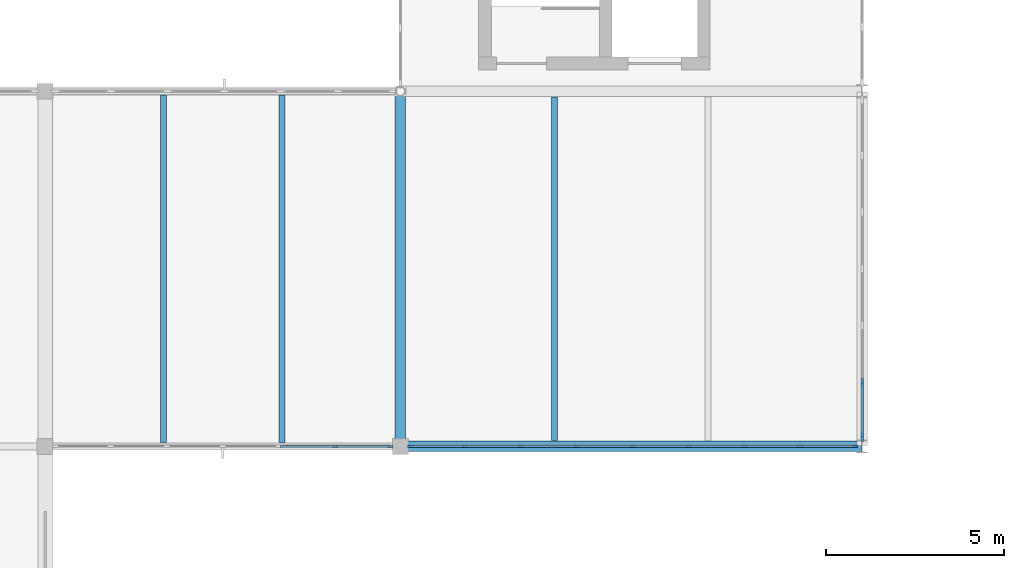
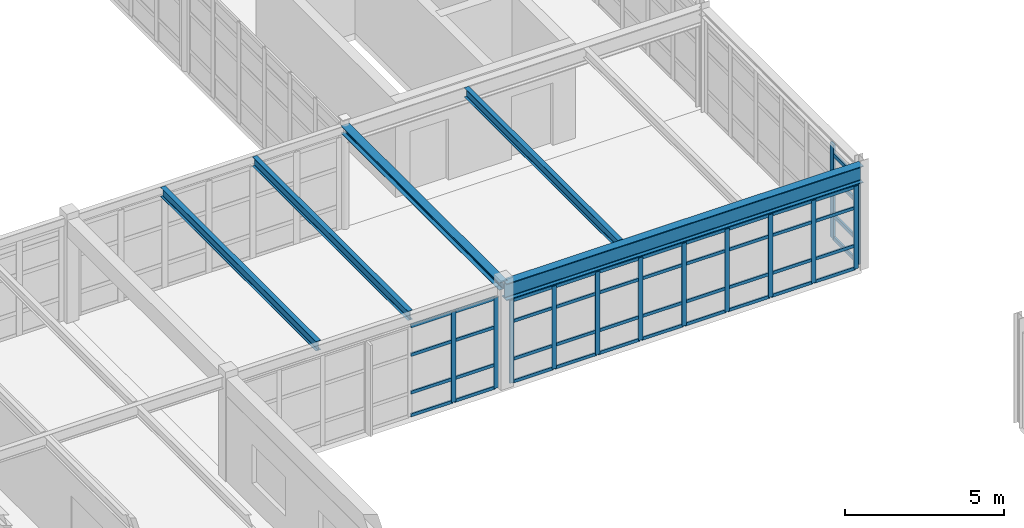
# One storey, part 38 of 122: 57 members, 5 beams, 3 elements without a shape of their own.
"""IFC4 building model written with IfcOpenShell, lengths in metres."""

from ifc_helpers import new_model, si_unit, direction, frame, origin, origin_2d, place, context, subcontext, project, spatial, rectangle, i_section, extrude, material, layer, layer_set, material_profile, profile_set, type_object, element, aggregate, save


model = new_model("IFC4")

# Units and contexts
model_context = context("Model", 3, precision=1e-05, world=origin(), true_north=direction((0.0, 1.0)))
body_context = subcontext(model_context, "Body", "Model", "MODEL_VIEW")
ifc_project = project(units=[si_unit("LENGTHUNIT", "METRE"), si_unit("AREAUNIT", "SQUARE_METRE"), si_unit("VOLUMEUNIT", "CUBIC_METRE"), si_unit("PLANEANGLEUNIT", "RADIAN"), si_unit("MASSUNIT", "GRAM", prefix="KILO"), si_unit("THERMODYNAMICTEMPERATUREUNIT", "KELVIN"), si_unit("POWERUNIT", "WATT")], contexts=[model_context])

# Site, building, storey
site_placement = place(None, origin())
site = spatial("IfcSite", under=ifc_project, at=site_placement, CompositionType="ELEMENT")
building_placement = place(site_placement, origin())
building = spatial("IfcBuilding", under=site, at=building_placement, Name="Korenveer Ferry Terminal", CompositionType="ELEMENT")
storey_placement = place(building_placement, frame((0.0, 0.0, 10.199951171875)))
storey = spatial("IfcBuildingStorey", under=building, at=storey_placement, Name="L02", CompositionType="ELEMENT", Elevation=10.199951171875)

# Curtain wall, members
ifc_material_1 = material(Name="Unitised bronze-and-glass curtain wall", Category="glass")
ifc_layer_1 = layer(ifc_material_1, 0.159912109375)
ifc_layer_set_1 = layer_set([ifc_layer_1], Name="Unitised bronze-and-glass curtain wall")
curtain_wall_type_1 = type_object("IfcCurtainWallType", Name="ENV-CW-89", PredefinedType="USERDEFINED", material=ifc_layer_set_1)
curtain_wall_1_placement = place(storey_placement, frame((30.2548828125, 70.0, 0.0)))
curtain_wall_1 = element("IfcCurtainWall", 1, at=curtain_wall_1_placement, inside=storey, type_object=curtain_wall_type_1, Name="Lancet curtain wall CWX-L02-X30-40-Y70-70", ObjectType="UNITISED CURTAIN WALL", PredefinedType="USERDEFINED")
ifc_material_2 = material(Name="Anodised bronze aluminium", Category="aluminium")
ifc_material_profile_1 = material_profile(ifc_material_2, rectangle(XDim=0.06005859375, YDim=0.159912109375, at=origin_2d()), Name="ALU 60x160")
ifc_profile_set_1 = profile_set([ifc_material_profile_1], Name="Anodised bronze aluminium")
member_type_1 = type_object("IfcMemberType", Name="ENV-CWM-60X160", PredefinedType="MULLION", material=ifc_profile_set_1)
member_1_placement = place(storey_placement, frame((38.163330078125, 70.0, 0.0), z_axis=(0.0, 0.0, 1.0), x_axis=(0.0, 1.0, 0.0)))
member_1 = element("IfcMember", 2, at=member_1_placement, type_object=member_type_1, Name="CW-89 mullion 6", PredefinedType="MULLION", context=body_context, shape_type="SweptSolid", body=[
    extrude(rectangle(XDim=0.06005859375, YDim=0.159912109375, at=origin_2d()), origin(), (0.0, 0.0, 1.0), 3.47998046875),
])
member_2_placement = place(storey_placement, frame((39.715087890625, 70.0, 0.0), z_axis=(0.0, 0.0, 1.0), x_axis=(0.0, 1.0, 0.0)))
member_2 = element("IfcMember", 3, at=member_2_placement, type_object=member_type_1, Name="CW-89 mullion 7", PredefinedType="MULLION", context=body_context, shape_type="SweptSolid", body=[
    extrude(rectangle(XDim=0.06005859375, YDim=0.159912109375, at=origin_2d()), origin(), (0.0, 0.0, 1.0), 3.47998046875),
])

ifc_layer_2 = layer(ifc_material_1, 0.159912109375)
ifc_layer_set_2 = layer_set([ifc_layer_2], Name="Unitised bronze-and-glass curtain wall")
curtain_wall_type_2 = type_object("IfcCurtainWallType", Name="ENV-CW-93", PredefinedType="USERDEFINED", material=ifc_layer_set_2)
curtain_wall_2_placement = place(storey_placement, frame((40.2548828125, 70.0, 0.0)))
curtain_wall_2 = element("IfcCurtainWall", 4, at=curtain_wall_2_placement, inside=storey, type_object=curtain_wall_type_2, Name="Lancet curtain wall CWX-L02-X40-53-Y70-70", ObjectType="UNITISED CURTAIN WALL", PredefinedType="USERDEFINED")
member_3_placement = place(storey_placement, frame((40.284912109375, 70.0, 0.0), z_axis=(0.0, 0.0, 1.0), x_axis=(0.0, 1.0, 0.0)))
member_3 = element("IfcMember", 5, at=member_3_placement, type_object=member_type_1, Name="CW-93 mullion 1", PredefinedType="MULLION", context=body_context, shape_type="SweptSolid", body=[
    extrude(rectangle(XDim=0.06005859375, YDim=0.159912109375, at=origin_2d()), origin(), (0.0, 0.0, 1.0), 3.179931640625),
])
member_4_placement = place(storey_placement, frame((41.82568359375, 70.0, 0.0), z_axis=(0.0, 0.0, 1.0), x_axis=(0.0, 1.0, 0.0)))
member_4 = element("IfcMember", 6, at=member_4_placement, type_object=member_type_1, Name="CW-93 mullion 2", PredefinedType="MULLION", context=body_context, shape_type="SweptSolid", body=[
    extrude(rectangle(XDim=0.06005859375, YDim=0.159912109375, at=origin_2d()), origin(), (0.0, 0.0, 1.0), 3.179931640625),
])
member_5_placement = place(storey_placement, frame((43.396240234375, 70.0, 0.0), z_axis=(0.0, 0.0, 1.0), x_axis=(0.0, 1.0, 0.0)))
member_5 = element("IfcMember", 7, at=member_5_placement, type_object=member_type_1, Name="CW-93 mullion 3", PredefinedType="MULLION", context=body_context, shape_type="SweptSolid", body=[
    extrude(rectangle(XDim=0.06005859375, YDim=0.159912109375, at=origin_2d()), origin(), (0.0, 0.0, 1.0), 3.179931640625),
])
member_6_placement = place(storey_placement, frame((44.966796875, 70.0, 0.0), z_axis=(0.0, 0.0, 1.0), x_axis=(0.0, 1.0, 0.0)))
member_6 = element("IfcMember", 8, at=member_6_placement, type_object=member_type_1, Name="CW-93 mullion 4", PredefinedType="MULLION", context=body_context, shape_type="SweptSolid", body=[
    extrude(rectangle(XDim=0.06005859375, YDim=0.159912109375, at=origin_2d()), origin(), (0.0, 0.0, 1.0), 3.179931640625),
])
member_7_placement = place(storey_placement, frame((46.53759765625, 70.0, 0.0), z_axis=(0.0, 0.0, 1.0), x_axis=(0.0, 1.0, 0.0)))
member_7 = element("IfcMember", 9, at=member_7_placement, type_object=member_type_1, Name="CW-93 mullion 5", PredefinedType="MULLION", context=body_context, shape_type="SweptSolid", body=[
    extrude(rectangle(XDim=0.06005859375, YDim=0.159912109375, at=origin_2d()), origin(), (0.0, 0.0, 1.0), 3.179931640625),
])
member_8_placement = place(storey_placement, frame((48.108154296875, 70.0, 0.0), z_axis=(0.0, 0.0, 1.0), x_axis=(0.0, 1.0, 0.0)))
member_8 = element("IfcMember", 10, at=member_8_placement, type_object=member_type_1, Name="CW-93 mullion 6", PredefinedType="MULLION", context=body_context, shape_type="SweptSolid", body=[
    extrude(rectangle(XDim=0.06005859375, YDim=0.159912109375, at=origin_2d()), origin(), (0.0, 0.0, 1.0), 3.179931640625),
])
member_9_placement = place(storey_placement, frame((49.6787109375, 70.0, 0.0), z_axis=(0.0, 0.0, 1.0), x_axis=(0.0, 1.0, 0.0)))
member_9 = element("IfcMember", 11, at=member_9_placement, type_object=member_type_1, Name="CW-93 mullion 7", PredefinedType="MULLION", context=body_context, shape_type="SweptSolid", body=[
    extrude(rectangle(XDim=0.06005859375, YDim=0.159912109375, at=origin_2d()), origin(), (0.0, 0.0, 1.0), 3.179931640625),
])
member_10_placement = place(storey_placement, frame((51.249267578125, 70.0, 0.0), z_axis=(0.0, 0.0, 1.0), x_axis=(0.0, 1.0, 0.0)))
member_10 = element("IfcMember", 12, at=member_10_placement, type_object=member_type_1, Name="CW-93 mullion 8", PredefinedType="MULLION", context=body_context, shape_type="SweptSolid", body=[
    extrude(rectangle(XDim=0.06005859375, YDim=0.159912109375, at=origin_2d()), origin(), (0.0, 0.0, 1.0), 3.179931640625),
])
member_11_placement = place(storey_placement, frame((52.7900390625, 70.0, 0.0), z_axis=(0.0, 0.0, 1.0), x_axis=(0.0, 1.0, 0.0)))
member_11 = element("IfcMember", 13, at=member_11_placement, type_object=member_type_1, Name="CW-93 mullion 9", PredefinedType="MULLION", context=body_context, shape_type="SweptSolid", body=[
    extrude(rectangle(XDim=0.06005859375, YDim=0.159912109375, at=origin_2d()), origin(), (0.0, 0.0, 1.0), 3.179931640625),
])

ifc_layer_3 = layer(ifc_material_1, 0.219970703125)
ifc_layer_set_3 = layer_set([ifc_layer_3], Name="Unitised bronze-and-glass curtain wall")
curtain_wall_type_3 = type_object("IfcCurtainWallType", Name="ENV-CW-116", PredefinedType="USERDEFINED", material=ifc_layer_set_3)
curtain_wall_3_placement = place(storey_placement, frame((53.0, 79.7900390625, 0.0)))
curtain_wall_3 = element("IfcCurtainWall", 14, at=curtain_wall_3_placement, inside=storey, type_object=curtain_wall_type_3, Name="Lancet curtain wall CWX-L02-X53-53-Y70-80", ObjectType="UNITISED CURTAIN WALL", PredefinedType="USERDEFINED")
ifc_material_profile_2 = material_profile(ifc_material_2, rectangle(XDim=0.074951171875, YDim=0.219970703125, at=origin_2d()), Name="ALU 75x220")
ifc_profile_set_2 = profile_set([ifc_material_profile_2], Name="Anodised bronze aluminium")
member_type_2 = type_object("IfcMemberType", Name="ENV-CWM-75X220", PredefinedType="MULLION", material=ifc_profile_set_2)
member_12_placement = place(storey_placement, frame((53.0, 71.806640625, 0.0), z_axis=(0.0, 0.0, 1.0), x_axis=(1.0, 0.0, 0.0)))
member_12 = element("IfcMember", 15, at=member_12_placement, type_object=member_type_2, Name="CW-116 mullion 6", PredefinedType="MULLION", context=body_context, shape_type="SweptSolid", body=[
    extrude(rectangle(XDim=0.074951171875, YDim=0.219970703125, at=origin_2d()), origin(), (0.0, 0.0, 1.0), 3.64013671875),
])
member_13_placement = place(storey_placement, frame((53.0, 70.24755859375, 0.0), z_axis=(0.0, 0.0, 1.0), x_axis=(1.0, 0.0, 0.0)))
member_13 = element("IfcMember", 16, at=member_13_placement, type_object=member_type_2, Name="CW-116 mullion 7", PredefinedType="MULLION", context=body_context, shape_type="SweptSolid", body=[
    extrude(rectangle(XDim=0.074951171875, YDim=0.219970703125, at=origin_2d()), origin(), (0.0, 0.0, 1.0), 3.64013671875),
])

# Member
ifc_material_profile_3 = material_profile(ifc_material_2, rectangle(XDim=0.06005859375, YDim=0.1201171875, at=origin_2d()), Name="ALU 60x120")
ifc_profile_set_3 = profile_set([ifc_material_profile_3], Name="Anodised bronze aluminium")
member_type_3 = type_object("IfcMemberType", Name="ENV-CWT-60X120", PredefinedType="USERDEFINED", material=ifc_profile_set_3)
member_14_placement = place(storey_placement, frame((36.611572265625, 70.0, 0.030029296875), z_axis=(1.0, 0.0, 0.0), x_axis=(0.0, 1.0, 0.0)))
member_14 = element("IfcMember", 17, at=member_14_placement, type_object=member_type_3, Name="CW-89 transom 5.1", ObjectType="TRANSOM", PredefinedType="USERDEFINED", context=body_context, shape_type="SweptSolid", body=[
    extrude(rectangle(XDim=0.06005859375, YDim=0.1201171875, at=origin_2d()), origin(), (0.0, 0.0, 1.0), 1.521728515625),
])

member_15_placement = place(storey_placement, frame((36.611572265625, 70.0, 0.900146484375), z_axis=(1.0, 0.0, 0.0), x_axis=(0.0, 1.0, 0.0)))
member_15 = element("IfcMember", 18, at=member_15_placement, type_object=member_type_3, Name="CW-89 transom 5.2", ObjectType="TRANSOM", PredefinedType="USERDEFINED", context=body_context, shape_type="SweptSolid", body=[
    extrude(rectangle(XDim=0.06005859375, YDim=0.1201171875, at=origin_2d()), origin(), (0.0, 0.0, 1.0), 1.521728515625),
])

member_16_placement = place(storey_placement, frame((36.611572265625, 70.0, 2.35009765625), z_axis=(1.0, 0.0, 0.0), x_axis=(0.0, 1.0, 0.0)))
member_16 = element("IfcMember", 19, at=member_16_placement, type_object=member_type_3, Name="CW-89 transom 5.3", ObjectType="TRANSOM", PredefinedType="USERDEFINED", context=body_context, shape_type="SweptSolid", body=[
    extrude(rectangle(XDim=0.06005859375, YDim=0.1201171875, at=origin_2d()), origin(), (0.0, 0.0, 1.0), 1.521728515625),
])

member_17_placement = place(storey_placement, frame((36.611572265625, 70.0, 3.449951171875), z_axis=(1.0, 0.0, 0.0), x_axis=(0.0, 1.0, 0.0)))
member_17 = element("IfcMember", 20, at=member_17_placement, type_object=member_type_3, Name="CW-89 transom 5.4", ObjectType="TRANSOM", PredefinedType="USERDEFINED", context=body_context, shape_type="SweptSolid", body=[
    extrude(rectangle(XDim=0.06005859375, YDim=0.1201171875, at=origin_2d()), origin(), (0.0, 0.0, 1.0), 1.521728515625),
])

member_18_placement = place(storey_placement, frame((38.193359375, 70.0, 0.030029296875), z_axis=(1.0, 0.0, 0.0), x_axis=(0.0, 1.0, 0.0)))
member_18 = element("IfcMember", 21, at=member_18_placement, type_object=member_type_3, Name="CW-89 transom 6.1", ObjectType="TRANSOM", PredefinedType="USERDEFINED", context=body_context, shape_type="SweptSolid", body=[
    extrude(rectangle(XDim=0.06005859375, YDim=0.1201171875, at=origin_2d()), origin(), (0.0, 0.0, 1.0), 1.49169921875),
])

member_19_placement = place(storey_placement, frame((38.193359375, 70.0, 0.900146484375), z_axis=(1.0, 0.0, 0.0), x_axis=(0.0, 1.0, 0.0)))
member_19 = element("IfcMember", 22, at=member_19_placement, type_object=member_type_3, Name="CW-89 transom 6.2", ObjectType="TRANSOM", PredefinedType="USERDEFINED", context=body_context, shape_type="SweptSolid", body=[
    extrude(rectangle(XDim=0.06005859375, YDim=0.1201171875, at=origin_2d()), origin(), (0.0, 0.0, 1.0), 1.49169921875),
])

member_20_placement = place(storey_placement, frame((38.193359375, 70.0, 2.35009765625), z_axis=(1.0, 0.0, 0.0), x_axis=(0.0, 1.0, 0.0)))
member_20 = element("IfcMember", 23, at=member_20_placement, type_object=member_type_3, Name="CW-89 transom 6.3", ObjectType="TRANSOM", PredefinedType="USERDEFINED", context=body_context, shape_type="SweptSolid", body=[
    extrude(rectangle(XDim=0.06005859375, YDim=0.1201171875, at=origin_2d()), origin(), (0.0, 0.0, 1.0), 1.49169921875),
])

member_21_placement = place(storey_placement, frame((38.193359375, 70.0, 3.449951171875), z_axis=(1.0, 0.0, 0.0), x_axis=(0.0, 1.0, 0.0)))
member_21 = element("IfcMember", 24, at=member_21_placement, type_object=member_type_3, Name="CW-89 transom 6.4", ObjectType="TRANSOM", PredefinedType="USERDEFINED", context=body_context, shape_type="SweptSolid", body=[
    extrude(rectangle(XDim=0.06005859375, YDim=0.1201171875, at=origin_2d()), origin(), (0.0, 0.0, 1.0), 1.49169921875),
])

aggregate(curtain_wall_1, [member_1, member_2, member_14, member_15, member_16, member_17, member_18, member_19, member_20, member_21])

member_22_placement = place(storey_placement, frame((40.31494140625, 70.0, 0.030029296875), z_axis=(1.0, 0.0, 0.0), x_axis=(0.0, 1.0, 0.0)))
member_22 = element("IfcMember", 25, at=member_22_placement, type_object=member_type_3, Name="CW-93 transom 1.1", ObjectType="TRANSOM", PredefinedType="USERDEFINED", context=body_context, shape_type="SweptSolid", body=[
    extrude(rectangle(XDim=0.06005859375, YDim=0.1201171875, at=origin_2d()), origin(), (0.0, 0.0, 1.0), 1.480712890625),
])

member_23_placement = place(storey_placement, frame((40.31494140625, 70.0, 0.900146484375), z_axis=(1.0, 0.0, 0.0), x_axis=(0.0, 1.0, 0.0)))
member_23 = element("IfcMember", 26, at=member_23_placement, type_object=member_type_3, Name="CW-93 transom 1.2", ObjectType="TRANSOM", PredefinedType="USERDEFINED", context=body_context, shape_type="SweptSolid", body=[
    extrude(rectangle(XDim=0.06005859375, YDim=0.1201171875, at=origin_2d()), origin(), (0.0, 0.0, 1.0), 1.480712890625),
])

member_24_placement = place(storey_placement, frame((40.31494140625, 70.0, 2.35009765625), z_axis=(1.0, 0.0, 0.0), x_axis=(0.0, 1.0, 0.0)))
member_24 = element("IfcMember", 27, at=member_24_placement, type_object=member_type_3, Name="CW-93 transom 1.3", ObjectType="TRANSOM", PredefinedType="USERDEFINED", context=body_context, shape_type="SweptSolid", body=[
    extrude(rectangle(XDim=0.06005859375, YDim=0.1201171875, at=origin_2d()), origin(), (0.0, 0.0, 1.0), 1.480712890625),
])

member_25_placement = place(storey_placement, frame((40.31494140625, 70.0, 3.150146484375), z_axis=(1.0, 0.0, 0.0), x_axis=(0.0, 1.0, 0.0)))
member_25 = element("IfcMember", 28, at=member_25_placement, type_object=member_type_3, Name="CW-93 transom 1.4", ObjectType="TRANSOM", PredefinedType="USERDEFINED", context=body_context, shape_type="SweptSolid", body=[
    extrude(rectangle(XDim=0.06005859375, YDim=0.1201171875, at=origin_2d()), origin(), (0.0, 0.0, 1.0), 1.480712890625),
])

member_26_placement = place(storey_placement, frame((41.855712890625, 70.0, 0.030029296875), z_axis=(1.0, 0.0, 0.0), x_axis=(0.0, 1.0, 0.0)))
member_26 = element("IfcMember", 29, at=member_26_placement, type_object=member_type_3, Name="CW-93 transom 2.1", ObjectType="TRANSOM", PredefinedType="USERDEFINED", context=body_context, shape_type="SweptSolid", body=[
    extrude(rectangle(XDim=0.06005859375, YDim=0.1201171875, at=origin_2d()), origin(), (0.0, 0.0, 1.0), 1.510498046875),
])

member_27_placement = place(storey_placement, frame((41.855712890625, 70.0, 0.900146484375), z_axis=(1.0, 0.0, 0.0), x_axis=(0.0, 1.0, 0.0)))
member_27 = element("IfcMember", 30, at=member_27_placement, type_object=member_type_3, Name="CW-93 transom 2.2", ObjectType="TRANSOM", PredefinedType="USERDEFINED", context=body_context, shape_type="SweptSolid", body=[
    extrude(rectangle(XDim=0.06005859375, YDim=0.1201171875, at=origin_2d()), origin(), (0.0, 0.0, 1.0), 1.510498046875),
])

member_28_placement = place(storey_placement, frame((41.855712890625, 70.0, 2.35009765625), z_axis=(1.0, 0.0, 0.0), x_axis=(0.0, 1.0, 0.0)))
member_28 = element("IfcMember", 31, at=member_28_placement, type_object=member_type_3, Name="CW-93 transom 2.3", ObjectType="TRANSOM", PredefinedType="USERDEFINED", context=body_context, shape_type="SweptSolid", body=[
    extrude(rectangle(XDim=0.06005859375, YDim=0.1201171875, at=origin_2d()), origin(), (0.0, 0.0, 1.0), 1.510498046875),
])

member_29_placement = place(storey_placement, frame((41.855712890625, 70.0, 3.150146484375), z_axis=(1.0, 0.0, 0.0), x_axis=(0.0, 1.0, 0.0)))
member_29 = element("IfcMember", 32, at=member_29_placement, type_object=member_type_3, Name="CW-93 transom 2.4", ObjectType="TRANSOM", PredefinedType="USERDEFINED", context=body_context, shape_type="SweptSolid", body=[
    extrude(rectangle(XDim=0.06005859375, YDim=0.1201171875, at=origin_2d()), origin(), (0.0, 0.0, 1.0), 1.510498046875),
])

member_30_placement = place(storey_placement, frame((43.42626953125, 70.0, 0.030029296875), z_axis=(1.0, 0.0, 0.0), x_axis=(0.0, 1.0, 0.0)))
member_30 = element("IfcMember", 33, at=member_30_placement, type_object=member_type_3, Name="CW-93 transom 3.1", ObjectType="TRANSOM", PredefinedType="USERDEFINED", context=body_context, shape_type="SweptSolid", body=[
    extrude(rectangle(XDim=0.06005859375, YDim=0.1201171875, at=origin_2d()), origin(), (0.0, 0.0, 1.0), 1.510498046875),
])

member_31_placement = place(storey_placement, frame((43.42626953125, 70.0, 0.900146484375), z_axis=(1.0, 0.0, 0.0), x_axis=(0.0, 1.0, 0.0)))
member_31 = element("IfcMember", 34, at=member_31_placement, type_object=member_type_3, Name="CW-93 transom 3.2", ObjectType="TRANSOM", PredefinedType="USERDEFINED", context=body_context, shape_type="SweptSolid", body=[
    extrude(rectangle(XDim=0.06005859375, YDim=0.1201171875, at=origin_2d()), origin(), (0.0, 0.0, 1.0), 1.510498046875),
])

member_32_placement = place(storey_placement, frame((43.42626953125, 70.0, 2.35009765625), z_axis=(1.0, 0.0, 0.0), x_axis=(0.0, 1.0, 0.0)))
member_32 = element("IfcMember", 35, at=member_32_placement, type_object=member_type_3, Name="CW-93 transom 3.3", ObjectType="TRANSOM", PredefinedType="USERDEFINED", context=body_context, shape_type="SweptSolid", body=[
    extrude(rectangle(XDim=0.06005859375, YDim=0.1201171875, at=origin_2d()), origin(), (0.0, 0.0, 1.0), 1.510498046875),
])

member_33_placement = place(storey_placement, frame((43.42626953125, 70.0, 3.150146484375), z_axis=(1.0, 0.0, 0.0), x_axis=(0.0, 1.0, 0.0)))
member_33 = element("IfcMember", 36, at=member_33_placement, type_object=member_type_3, Name="CW-93 transom 3.4", ObjectType="TRANSOM", PredefinedType="USERDEFINED", context=body_context, shape_type="SweptSolid", body=[
    extrude(rectangle(XDim=0.06005859375, YDim=0.1201171875, at=origin_2d()), origin(), (0.0, 0.0, 1.0), 1.510498046875),
])

member_34_placement = place(storey_placement, frame((44.996826171875, 70.0, 0.030029296875), z_axis=(1.0, 0.0, 0.0), x_axis=(0.0, 1.0, 0.0)))
member_34 = element("IfcMember", 37, at=member_34_placement, type_object=member_type_3, Name="CW-93 transom 4.1", ObjectType="TRANSOM", PredefinedType="USERDEFINED", context=body_context, shape_type="SweptSolid", body=[
    extrude(rectangle(XDim=0.06005859375, YDim=0.1201171875, at=origin_2d()), origin(), (0.0, 0.0, 1.0), 1.5107421875),
])

member_35_placement = place(storey_placement, frame((44.996826171875, 70.0, 0.900146484375), z_axis=(1.0, 0.0, 0.0), x_axis=(0.0, 1.0, 0.0)))
member_35 = element("IfcMember", 38, at=member_35_placement, type_object=member_type_3, Name="CW-93 transom 4.2", ObjectType="TRANSOM", PredefinedType="USERDEFINED", context=body_context, shape_type="SweptSolid", body=[
    extrude(rectangle(XDim=0.06005859375, YDim=0.1201171875, at=origin_2d()), origin(), (0.0, 0.0, 1.0), 1.5107421875),
])

member_36_placement = place(storey_placement, frame((44.996826171875, 70.0, 2.35009765625), z_axis=(1.0, 0.0, 0.0), x_axis=(0.0, 1.0, 0.0)))
member_36 = element("IfcMember", 39, at=member_36_placement, type_object=member_type_3, Name="CW-93 transom 4.3", ObjectType="TRANSOM", PredefinedType="USERDEFINED", context=body_context, shape_type="SweptSolid", body=[
    extrude(rectangle(XDim=0.06005859375, YDim=0.1201171875, at=origin_2d()), origin(), (0.0, 0.0, 1.0), 1.5107421875),
])

member_37_placement = place(storey_placement, frame((44.996826171875, 70.0, 3.150146484375), z_axis=(1.0, 0.0, 0.0), x_axis=(0.0, 1.0, 0.0)))
member_37 = element("IfcMember", 40, at=member_37_placement, type_object=member_type_3, Name="CW-93 transom 4.4", ObjectType="TRANSOM", PredefinedType="USERDEFINED", context=body_context, shape_type="SweptSolid", body=[
    extrude(rectangle(XDim=0.06005859375, YDim=0.1201171875, at=origin_2d()), origin(), (0.0, 0.0, 1.0), 1.5107421875),
])

member_38_placement = place(storey_placement, frame((46.5673828125, 70.0, 0.030029296875), z_axis=(1.0, 0.0, 0.0), x_axis=(0.0, 1.0, 0.0)))
member_38 = element("IfcMember", 41, at=member_38_placement, type_object=member_type_3, Name="CW-93 transom 5.1", ObjectType="TRANSOM", PredefinedType="USERDEFINED", context=body_context, shape_type="SweptSolid", body=[
    extrude(rectangle(XDim=0.06005859375, YDim=0.1201171875, at=origin_2d()), origin(), (0.0, 0.0, 1.0), 1.5107421875),
])

member_39_placement = place(storey_placement, frame((46.5673828125, 70.0, 0.900146484375), z_axis=(1.0, 0.0, 0.0), x_axis=(0.0, 1.0, 0.0)))
member_39 = element("IfcMember", 42, at=member_39_placement, type_object=member_type_3, Name="CW-93 transom 5.2", ObjectType="TRANSOM", PredefinedType="USERDEFINED", context=body_context, shape_type="SweptSolid", body=[
    extrude(rectangle(XDim=0.06005859375, YDim=0.1201171875, at=origin_2d()), origin(), (0.0, 0.0, 1.0), 1.5107421875),
])

member_40_placement = place(storey_placement, frame((46.5673828125, 70.0, 2.35009765625), z_axis=(1.0, 0.0, 0.0), x_axis=(0.0, 1.0, 0.0)))
member_40 = element("IfcMember", 43, at=member_40_placement, type_object=member_type_3, Name="CW-93 transom 5.3", ObjectType="TRANSOM", PredefinedType="USERDEFINED", context=body_context, shape_type="SweptSolid", body=[
    extrude(rectangle(XDim=0.06005859375, YDim=0.1201171875, at=origin_2d()), origin(), (0.0, 0.0, 1.0), 1.5107421875),
])

member_41_placement = place(storey_placement, frame((46.5673828125, 70.0, 3.150146484375), z_axis=(1.0, 0.0, 0.0), x_axis=(0.0, 1.0, 0.0)))
member_41 = element("IfcMember", 44, at=member_41_placement, type_object=member_type_3, Name="CW-93 transom 5.4", ObjectType="TRANSOM", PredefinedType="USERDEFINED", context=body_context, shape_type="SweptSolid", body=[
    extrude(rectangle(XDim=0.06005859375, YDim=0.1201171875, at=origin_2d()), origin(), (0.0, 0.0, 1.0), 1.5107421875),
])

member_42_placement = place(storey_placement, frame((48.13818359375, 70.0, 0.030029296875), z_axis=(1.0, 0.0, 0.0), x_axis=(0.0, 1.0, 0.0)))
member_42 = element("IfcMember", 45, at=member_42_placement, type_object=member_type_3, Name="CW-93 transom 6.1", ObjectType="TRANSOM", PredefinedType="USERDEFINED", context=body_context, shape_type="SweptSolid", body=[
    extrude(rectangle(XDim=0.06005859375, YDim=0.1201171875, at=origin_2d()), origin(), (0.0, 0.0, 1.0), 1.510498046875),
])

member_43_placement = place(storey_placement, frame((48.13818359375, 70.0, 0.900146484375), z_axis=(1.0, 0.0, 0.0), x_axis=(0.0, 1.0, 0.0)))
member_43 = element("IfcMember", 46, at=member_43_placement, type_object=member_type_3, Name="CW-93 transom 6.2", ObjectType="TRANSOM", PredefinedType="USERDEFINED", context=body_context, shape_type="SweptSolid", body=[
    extrude(rectangle(XDim=0.06005859375, YDim=0.1201171875, at=origin_2d()), origin(), (0.0, 0.0, 1.0), 1.510498046875),
])

member_44_placement = place(storey_placement, frame((48.13818359375, 70.0, 2.35009765625), z_axis=(1.0, 0.0, 0.0), x_axis=(0.0, 1.0, 0.0)))
member_44 = element("IfcMember", 47, at=member_44_placement, type_object=member_type_3, Name="CW-93 transom 6.3", ObjectType="TRANSOM", PredefinedType="USERDEFINED", context=body_context, shape_type="SweptSolid", body=[
    extrude(rectangle(XDim=0.06005859375, YDim=0.1201171875, at=origin_2d()), origin(), (0.0, 0.0, 1.0), 1.510498046875),
])

member_45_placement = place(storey_placement, frame((48.13818359375, 70.0, 3.150146484375), z_axis=(1.0, 0.0, 0.0), x_axis=(0.0, 1.0, 0.0)))
member_45 = element("IfcMember", 48, at=member_45_placement, type_object=member_type_3, Name="CW-93 transom 6.4", ObjectType="TRANSOM", PredefinedType="USERDEFINED", context=body_context, shape_type="SweptSolid", body=[
    extrude(rectangle(XDim=0.06005859375, YDim=0.1201171875, at=origin_2d()), origin(), (0.0, 0.0, 1.0), 1.510498046875),
])

member_46_placement = place(storey_placement, frame((49.708740234375, 70.0, 0.030029296875), z_axis=(1.0, 0.0, 0.0), x_axis=(0.0, 1.0, 0.0)))
member_46 = element("IfcMember", 49, at=member_46_placement, type_object=member_type_3, Name="CW-93 transom 7.1", ObjectType="TRANSOM", PredefinedType="USERDEFINED", context=body_context, shape_type="SweptSolid", body=[
    extrude(rectangle(XDim=0.06005859375, YDim=0.1201171875, at=origin_2d()), origin(), (0.0, 0.0, 1.0), 1.5107421875),
])

member_47_placement = place(storey_placement, frame((49.708740234375, 70.0, 0.900146484375), z_axis=(1.0, 0.0, 0.0), x_axis=(0.0, 1.0, 0.0)))
member_47 = element("IfcMember", 50, at=member_47_placement, type_object=member_type_3, Name="CW-93 transom 7.2", ObjectType="TRANSOM", PredefinedType="USERDEFINED", context=body_context, shape_type="SweptSolid", body=[
    extrude(rectangle(XDim=0.06005859375, YDim=0.1201171875, at=origin_2d()), origin(), (0.0, 0.0, 1.0), 1.5107421875),
])

member_48_placement = place(storey_placement, frame((49.708740234375, 70.0, 2.35009765625), z_axis=(1.0, 0.0, 0.0), x_axis=(0.0, 1.0, 0.0)))
member_48 = element("IfcMember", 51, at=member_48_placement, type_object=member_type_3, Name="CW-93 transom 7.3", ObjectType="TRANSOM", PredefinedType="USERDEFINED", context=body_context, shape_type="SweptSolid", body=[
    extrude(rectangle(XDim=0.06005859375, YDim=0.1201171875, at=origin_2d()), origin(), (0.0, 0.0, 1.0), 1.5107421875),
])

member_49_placement = place(storey_placement, frame((49.708740234375, 70.0, 3.150146484375), z_axis=(1.0, 0.0, 0.0), x_axis=(0.0, 1.0, 0.0)))
member_49 = element("IfcMember", 52, at=member_49_placement, type_object=member_type_3, Name="CW-93 transom 7.4", ObjectType="TRANSOM", PredefinedType="USERDEFINED", context=body_context, shape_type="SweptSolid", body=[
    extrude(rectangle(XDim=0.06005859375, YDim=0.1201171875, at=origin_2d()), origin(), (0.0, 0.0, 1.0), 1.5107421875),
])

member_50_placement = place(storey_placement, frame((51.279296875, 70.0, 0.030029296875), z_axis=(1.0, 0.0, 0.0), x_axis=(0.0, 1.0, 0.0)))
member_50 = element("IfcMember", 53, at=member_50_placement, type_object=member_type_3, Name="CW-93 transom 8.1", ObjectType="TRANSOM", PredefinedType="USERDEFINED", context=body_context, shape_type="SweptSolid", body=[
    extrude(rectangle(XDim=0.06005859375, YDim=0.1201171875, at=origin_2d()), origin(), (0.0, 0.0, 1.0), 1.480712890625),
])

member_51_placement = place(storey_placement, frame((51.279296875, 70.0, 0.900146484375), z_axis=(1.0, 0.0, 0.0), x_axis=(0.0, 1.0, 0.0)))
member_51 = element("IfcMember", 54, at=member_51_placement, type_object=member_type_3, Name="CW-93 transom 8.2", ObjectType="TRANSOM", PredefinedType="USERDEFINED", context=body_context, shape_type="SweptSolid", body=[
    extrude(rectangle(XDim=0.06005859375, YDim=0.1201171875, at=origin_2d()), origin(), (0.0, 0.0, 1.0), 1.480712890625),
])

member_52_placement = place(storey_placement, frame((51.279296875, 70.0, 2.35009765625), z_axis=(1.0, 0.0, 0.0), x_axis=(0.0, 1.0, 0.0)))
member_52 = element("IfcMember", 55, at=member_52_placement, type_object=member_type_3, Name="CW-93 transom 8.3", ObjectType="TRANSOM", PredefinedType="USERDEFINED", context=body_context, shape_type="SweptSolid", body=[
    extrude(rectangle(XDim=0.06005859375, YDim=0.1201171875, at=origin_2d()), origin(), (0.0, 0.0, 1.0), 1.480712890625),
])

member_53_placement = place(storey_placement, frame((51.279296875, 70.0, 3.150146484375), z_axis=(1.0, 0.0, 0.0), x_axis=(0.0, 1.0, 0.0)))
member_53 = element("IfcMember", 56, at=member_53_placement, type_object=member_type_3, Name="CW-93 transom 8.4", ObjectType="TRANSOM", PredefinedType="USERDEFINED", context=body_context, shape_type="SweptSolid", body=[
    extrude(rectangle(XDim=0.06005859375, YDim=0.1201171875, at=origin_2d()), origin(), (0.0, 0.0, 1.0), 1.480712890625),
])

aggregate(curtain_wall_2, [member_3, member_4, member_5, member_6, member_7, member_8, member_9, member_10, member_11, member_22, member_23, member_24, member_25, member_26, member_27, member_28, member_29, member_30, member_31, member_32, member_33, member_34, member_35, member_36, member_37, member_38, member_39, member_40, member_41, member_42, member_43, member_44, member_45, member_46, member_47, member_48, member_49, member_50, member_51, member_52, member_53])

ifc_material_profile_4 = material_profile(ifc_material_2, rectangle(XDim=0.074951171875, YDim=0.14990234375, at=origin_2d()), Name="ALU 75x150")
ifc_profile_set_4 = profile_set([ifc_material_profile_4], Name="Anodised bronze aluminium")
member_type_4 = type_object("IfcMemberType", Name="ENV-CWT-75X150", PredefinedType="USERDEFINED", material=ifc_profile_set_4)
member_54_placement = place(storey_placement, frame((53.0, 71.769287109375, 0.03759765625), z_axis=(0.0, -1.0, 0.0), x_axis=(1.0, 0.0, 0.0)))
member_54 = element("IfcMember", 57, at=member_54_placement, type_object=member_type_4, Name="CW-116 transom 6.1", ObjectType="TRANSOM", PredefinedType="USERDEFINED", context=body_context, shape_type="SweptSolid", body=[
    extrude(rectangle(XDim=0.074951171875, YDim=0.14990234375, at=origin_2d()), origin(), (0.0, 0.0, 1.0), 1.484375),
])

member_55_placement = place(storey_placement, frame((53.0, 71.769287109375, 0.900146484375), z_axis=(0.0, -1.0, 0.0), x_axis=(1.0, 0.0, 0.0)))
member_55 = element("IfcMember", 58, at=member_55_placement, type_object=member_type_4, Name="CW-116 transom 6.2", ObjectType="TRANSOM", PredefinedType="USERDEFINED", context=body_context, shape_type="SweptSolid", body=[
    extrude(rectangle(XDim=0.074951171875, YDim=0.14990234375, at=origin_2d()), origin(), (0.0, 0.0, 1.0), 1.484375),
])

member_56_placement = place(storey_placement, frame((53.0, 71.769287109375, 2.35009765625), z_axis=(0.0, -1.0, 0.0), x_axis=(1.0, 0.0, 0.0)))
member_56 = element("IfcMember", 59, at=member_56_placement, type_object=member_type_4, Name="CW-116 transom 6.3", ObjectType="TRANSOM", PredefinedType="USERDEFINED", context=body_context, shape_type="SweptSolid", body=[
    extrude(rectangle(XDim=0.074951171875, YDim=0.14990234375, at=origin_2d()), origin(), (0.0, 0.0, 1.0), 1.484375),
])

member_57_placement = place(storey_placement, frame((53.0, 71.769287109375, 3.25), z_axis=(0.0, -1.0, 0.0), x_axis=(1.0, 0.0, 0.0)))
member_57 = element("IfcMember", 60, at=member_57_placement, type_object=member_type_4, Name="CW-116 transom 6.4", ObjectType="TRANSOM", PredefinedType="USERDEFINED", context=body_context, shape_type="SweptSolid", body=[
    extrude(rectangle(XDim=0.074951171875, YDim=0.14990234375, at=origin_2d()), origin(), (0.0, 0.0, 1.0), 1.484375),
])

aggregate(curtain_wall_3, [member_12, member_13, member_54, member_55, member_56, member_57])

# Beams
ifc_material_3 = material(Name="Steel S355", Category="steel")
ifc_material_profile_5 = material_profile(ifc_material_3, i_section(OverallWidth=0.300048828125, OverallDepth=0.2900390625, WebThickness=0.008544921875, FlangeThickness=0.013916015625, FilletRadius=0.027099609375, at=origin_2d()), Name="HEA 300")
ifc_profile_set_5 = profile_set([ifc_material_profile_5], Name="Steel S355")
beam_type_1 = type_object("IfcBeamType", Name="STR-BM-HEA300", PredefinedType="BEAM", material=ifc_profile_set_5)
beam_1_placement = place(storey_placement, frame((40.0, 70.02001953125, 3.81494140625), z_axis=(0.0, 1.0, 0.0), x_axis=(-1.0, 0.0, 0.0)))
element("IfcBeam", 61, at=beam_1_placement, inside=storey, type_object=beam_type_1, Name="Primary Y girder BMY-L03-X40-Y70-80", PredefinedType="BEAM", context=body_context, shape_type="SweptSolid", body=[
    extrude(i_section(OverallWidth=0.300048828125, OverallDepth=0.2900390625, WebThickness=0.008544921875, FlangeThickness=0.013916015625, FilletRadius=0.027099609375, at=origin_2d()), origin(), (0.0, 0.0, 1.0), 9.9599609375),
])
ifc_material_profile_6 = material_profile(ifc_material_3, i_section(OverallWidth=0.300048828125, OverallDepth=0.64990234375, WebThickness=0.01611328125, FlangeThickness=0.031005859375, FilletRadius=0.027099609375, at=origin_2d()), Name="HEB 650")
ifc_profile_set_6 = profile_set([ifc_material_profile_6], Name="Steel S355")
beam_type_2 = type_object("IfcBeamType", Name="STR-BM-HEB650", PredefinedType="BEAM", material=ifc_profile_set_6)
beam_2_placement = place(storey_placement, frame((40.02001953125, 70.0, 3.635009765625), z_axis=(1.0, 0.0, 0.0), x_axis=(0.0, 1.0, 0.0)))
element("IfcBeam", 62, at=beam_2_placement, inside=storey, type_object=beam_type_2, Name="Primary X girder BMX-L03-X40-53-Y70", PredefinedType="BEAM", context=body_context, shape_type="SweptSolid", body=[
    extrude(i_section(OverallWidth=0.300048828125, OverallDepth=0.64990234375, WebThickness=0.01611328125, FlangeThickness=0.031005859375, FilletRadius=0.027099609375, at=origin_2d()), origin(), (0.0, 0.0, 1.0), 12.9599609375),
])
ifc_material_profile_7 = material_profile(ifc_material_3, i_section(OverallWidth=0.169921875, OverallDepth=0.360107421875, WebThickness=0.008056640625, FlangeThickness=0.0126953125, FilletRadius=0.01806640625, at=origin_2d()), Name="IPE 360")
ifc_profile_set_7 = profile_set([ifc_material_profile_7], Name="Steel S355")
beam_type_3 = type_object("IfcBeamType", Name="STR-JST-IPE360", PredefinedType="JOIST", material=ifc_profile_set_7)
for number, where, z_axis, x_axis, name in (
    (63, (33.333251953125, 70.10498046875, 3.780029296875), (0.0, 1.0, 0.0), (-1.0, 0.0, 0.0), "Secondary composite joist JST-L03-X333-Y70-80"),
    (64, (36.666748046875, 70.10498046875, 3.780029296875), (0.0, 1.0, 0.0), (-1.0, 0.0, 0.0), "Secondary composite joist JST-L03-X367-Y70-80"),
):
    element("IfcBeam", number, at=place(storey_placement, frame(where, z_axis=z_axis, x_axis=x_axis)), inside=storey, type_object=beam_type_3, Name=name, PredefinedType="JOIST", context=body_context, shape_type="SweptSolid", body=[
        extrude(i_section(OverallWidth=0.169921875, OverallDepth=0.360107421875, WebThickness=0.008056640625, FlangeThickness=0.0126953125, FilletRadius=0.01806640625, at=origin_2d()), origin(), (0.0, 0.0, 1.0), 9.784912109375),
    ])
beam_3_placement = place(storey_placement, frame((44.333251953125, 70.159912109375, 3.780029296875), z_axis=(0.0, 1.0, 0.0), x_axis=(-1.0, 0.0, 0.0)))
element("IfcBeam", 65, at=beam_3_placement, inside=storey, type_object=beam_type_3, Name="Secondary composite joist JST-L03-X443-Y70-80", PredefinedType="JOIST", context=body_context, shape_type="SweptSolid", body=[
    extrude(i_section(OverallWidth=0.169921875, OverallDepth=0.360107421875, WebThickness=0.008056640625, FlangeThickness=0.0126953125, FilletRadius=0.01806640625, at=origin_2d()), origin(), (0.0, 0.0, 1.0), 9.68017578125),
])

save(model, "model.ifc")
